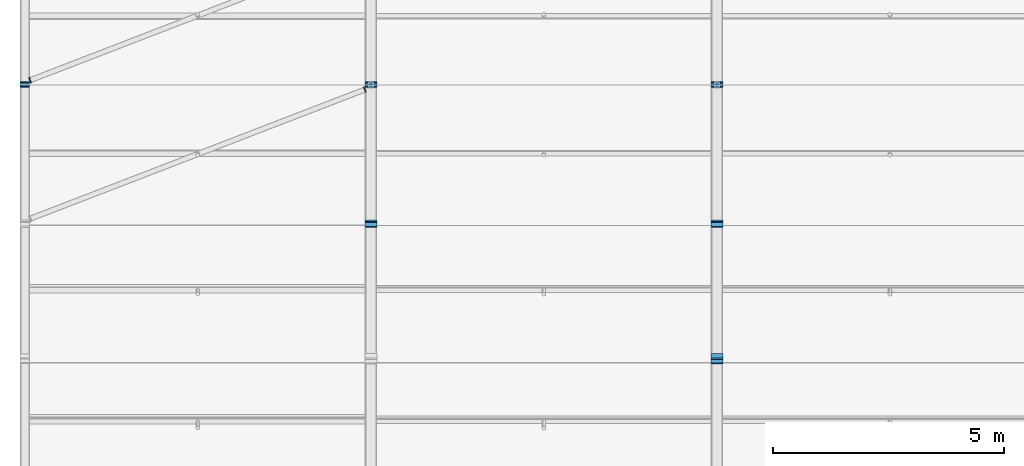
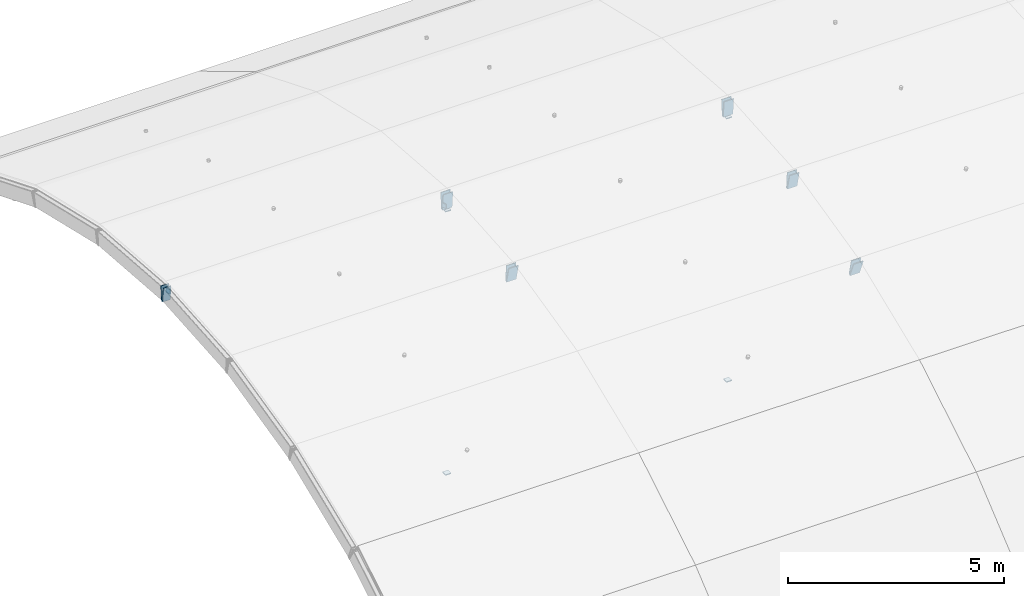
# One storey, part 48 of 77: 18 plates.
"""IFC4 building model written with IfcOpenShell, lengths in metres."""

from ifc_helpers import new_model, si_unit, direction, frame, origin, origin_2d, place, context, subcontext, project, spatial, rectangle, extrude, material, layer, layer_set, type_object, element, save


model = new_model("IFC4")

# Units and contexts
model_context = context("Model", 3, precision=1e-05, world=origin(), true_north=direction((0.0, 1.0)))
body_context = subcontext(model_context, "Body", "Model", "MODEL_VIEW")
ifc_project = project(units=[si_unit("LENGTHUNIT", "METRE"), si_unit("AREAUNIT", "SQUARE_METRE"), si_unit("VOLUMEUNIT", "CUBIC_METRE"), si_unit("PLANEANGLEUNIT", "RADIAN"), si_unit("MASSUNIT", "GRAM", prefix="KILO")], contexts=[model_context])

# Site, building, storey
site_placement = place(None, origin())
site = spatial("IfcSite", under=ifc_project, at=site_placement, CompositionType="ELEMENT")
building_placement = place(site_placement, origin())
building = spatial("IfcBuilding", under=site, at=building_placement, Name="Yukiwa Park Conservatory and Herbarium", CompositionType="ELEMENT")
storey_placement = place(building_placement, frame((0.0, 0.0, 13.199951171875)))
storey = spatial("IfcBuildingStorey", under=building, at=storey_placement, Name="L03", CompositionType="ELEMENT", Elevation=13.199951171875)

# Plates
ifc_material_1 = material(Name="Steel Q355D", Category="steel")
ifc_layer_1 = layer(ifc_material_1, 0.02392578125)
ifc_layer_set_1 = layer_set([ifc_layer_1], Name="Steel Q355D")
plate_type_1 = type_object("IfcPlateType", Name="PL-CAP-24", PredefinedType="USERDEFINED", material=ifc_layer_set_1)
for number, where, z_axis, x_axis, name in (
    (1, (0.0, 15.56005859375, 3.596923828125), (0.0, 0.996684615823, 0.081362009455), (-1.0, 0.0, 0.0), "Hollow section end cap plate CAP-RIB01-C06B"),
    (2, (0.0, 15.65771484375, 3.595458984375), (0.0, -0.996684615823, 0.081362009455), (1.0, 0.0, 0.0), "Hollow section end cap plate CAP-RIB01-C07A"),
):
    element("IfcPlate", number, at=place(storey_placement, frame(where, z_axis=z_axis, x_axis=x_axis)), inside=storey, type_object=plate_type_1, Name=name, ObjectType="END CAP PLATE", PredefinedType="USERDEFINED", context=body_context, shape_type="SweptSolid", body=[
        extrude(rectangle(XDim=0.2080078125, YDim=0.407958984375, at=origin_2d()), origin(), (0.0, 0.0, 1.0), 0.02392578125),
    ])
plate_1_placement = place(storey_placement, frame((7.5, 12.559326171875, 3.3583984375), z_axis=(0.0, 0.972479178012, 0.232989803065), x_axis=(-1.0, 0.0, 0.0)))
element("IfcPlate", 3, at=plate_1_placement, inside=storey, type_object=plate_type_1, Name="Hollow section end cap plate CAP-RIB02-C05B", ObjectType="END CAP PLATE", PredefinedType="USERDEFINED", context=body_context, shape_type="SweptSolid", body=[
    extrude(rectangle(XDim=0.258056640625, YDim=0.4580078125, at=origin_2d()), origin(), (0.0, 0.0, 1.0), 0.024169921875),
])
for number, where, z_axis, x_axis, name in (
    (4, (7.5, 12.656005859375, 3.3720703125), (0.0, -0.997458699831, -0.071247049988), (1.0, 0.0, 0.0), "Hollow section end cap plate CAP-RIB02-C06A"),
    (5, (7.5, 15.56005859375, 3.596923828125), (0.0, 0.996684615823, 0.081362009455), (-1.0, 0.0, 0.0), "Hollow section end cap plate CAP-RIB02-C06B"),
    (6, (7.5, 15.65771484375, 3.595458984375), (0.0, -0.996684615823, 0.081362009455), (1.0, 0.0, 0.0), "Hollow section end cap plate CAP-RIB02-C07A"),
    (7, (15.0, 9.631103515625, 2.660888671875), (0.0, 0.926355609378, 0.376650082934), (-1.0, 0.0, 0.0), "Hollow section end cap plate CAP-RIB03-C04B"),
    (8, (15.0, 9.724609375, 2.689208984375), (0.0, -0.974732318528, -0.223376156329), (1.0, 0.0, 0.0), "Hollow section end cap plate CAP-RIB03-C05A"),
):
    element("IfcPlate", number, at=place(storey_placement, frame(where, z_axis=z_axis, x_axis=x_axis)), inside=storey, type_object=plate_type_1, Name=name, ObjectType="END CAP PLATE", PredefinedType="USERDEFINED", context=body_context, shape_type="SweptSolid", body=[
        extrude(rectangle(XDim=0.258056640625, YDim=0.4580078125, at=origin_2d()), origin(), (0.0, 0.0, 1.0), 0.02392578125),
    ])
plate_2_placement = place(storey_placement, frame((15.0, 12.559326171875, 3.3583984375), z_axis=(0.0, 0.972479178012, 0.232989803065), x_axis=(-1.0, 0.0, 0.0)))
element("IfcPlate", 9, at=plate_2_placement, inside=storey, type_object=plate_type_1, Name="Hollow section end cap plate CAP-RIB03-C05B", ObjectType="END CAP PLATE", PredefinedType="USERDEFINED", context=body_context, shape_type="SweptSolid", body=[
    extrude(rectangle(XDim=0.258056640625, YDim=0.4580078125, at=origin_2d()), origin(), (0.0, 0.0, 1.0), 0.024169921875),
])
for number, where, z_axis, x_axis, name in (
    (10, (15.0, 12.656005859375, 3.3720703125), (0.0, -0.997458699831, -0.071247049988), (1.0, 0.0, 0.0), "Hollow section end cap plate CAP-RIB03-C06A"),
    (11, (15.0, 15.56005859375, 3.596923828125), (0.0, 0.996684615823, 0.081362009455), (-1.0, 0.0, 0.0), "Hollow section end cap plate CAP-RIB03-C06B"),
    (12, (15.0, 15.65771484375, 3.595458984375), (0.0, -0.996684615823, 0.081362009455), (1.0, 0.0, 0.0), "Hollow section end cap plate CAP-RIB03-C07A"),
):
    element("IfcPlate", number, at=place(storey_placement, frame(where, z_axis=z_axis, x_axis=x_axis)), inside=storey, type_object=plate_type_1, Name=name, ObjectType="END CAP PLATE", PredefinedType="USERDEFINED", context=body_context, shape_type="SweptSolid", body=[
        extrude(rectangle(XDim=0.258056640625, YDim=0.4580078125, at=origin_2d()), origin(), (0.0, 0.0, 1.0), 0.02392578125),
    ])
for number, where, z_axis, x_axis, name in (
    (13, (7.355712890625, 15.49072265625, 3.559326171875), (0.934214787691, 0.355407799665, 0.030463525686), (-0.355572828447, 0.934648577632, 0.0), "Hollow section end cap plate CAP-VWBR-B1-F5B"),
    (14, (0.12744140625, 15.702880859375, 3.559814453125), (-0.934214787691, -0.355407799665, 0.030463525686), (0.355572828447, -0.934648577632, 0.0), "Hollow section end cap plate CAP-VWBR-B1-F6A"),
):
    element("IfcPlate", number, at=place(storey_placement, frame(where, z_axis=z_axis, x_axis=x_axis)), inside=storey, type_object=plate_type_1, Name=name, ObjectType="END CAP PLATE", PredefinedType="USERDEFINED", context=body_context, shape_type="SweptSolid", body=[
        extrude(rectangle(XDim=0.122314453125, YDim=0.122314453125, at=origin_2d()), origin(), (0.0, 0.0, 1.0), 0.02392578125),
    ])
ifc_material_2 = material(Name="Steel Q355D", Category="steel")
ifc_layer_2 = layer(ifc_material_2, 0.02392578125)
ifc_layer_set_2 = layer_set([ifc_layer_2], Name="Steel Q355D")
plate_type_2 = type_object("IfcPlateType", Name="PL-CAP-24-INT", PredefinedType="USERDEFINED", material=ifc_layer_set_2)
for number, where, z_axis, x_axis, name in (
    (15, (7.5, 15.60009765625, -4.087890625), (0.0, 0.0, -1.0), (1.0, 0.0, 0.0), "Hollow section end cap plate CAP-VHNG-02-6B"),
    (16, (7.5, 15.60009765625, 3.322998046875), (0.0, 0.0, 1.0), (1.0, 0.0, 0.0), "Hollow section end cap plate CAP-VHNG-02-6T"),
    (17, (15.0, 15.60009765625, -4.087890625), (0.0, 0.0, -1.0), (1.0, 0.0, 0.0), "Hollow section end cap plate CAP-VHNG-03-6B"),
    (18, (15.0, 15.60009765625, 3.322998046875), (0.0, 0.0, 1.0), (1.0, 0.0, 0.0), "Hollow section end cap plate CAP-VHNG-03-6T"),
):
    element("IfcPlate", number, at=place(storey_placement, frame(where, z_axis=z_axis, x_axis=x_axis)), inside=storey, type_object=plate_type_2, Name=name, ObjectType="END CAP PLATE", PredefinedType="USERDEFINED", context=body_context, shape_type="SweptSolid", body=[
        extrude(rectangle(XDim=0.147705078125, YDim=0.147705078125, at=origin_2d()), origin(), (0.0, 0.0, 1.0), 0.024169921875),
    ])

save(model, "model.ifc")
